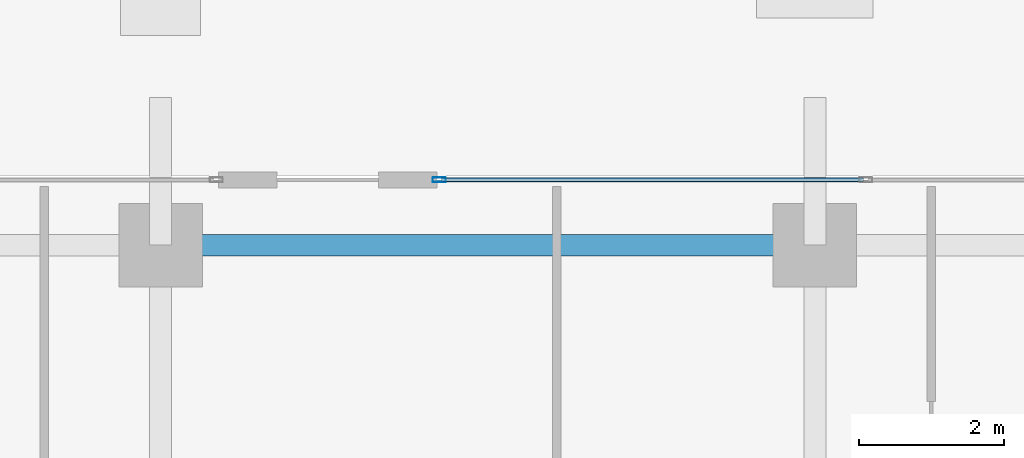
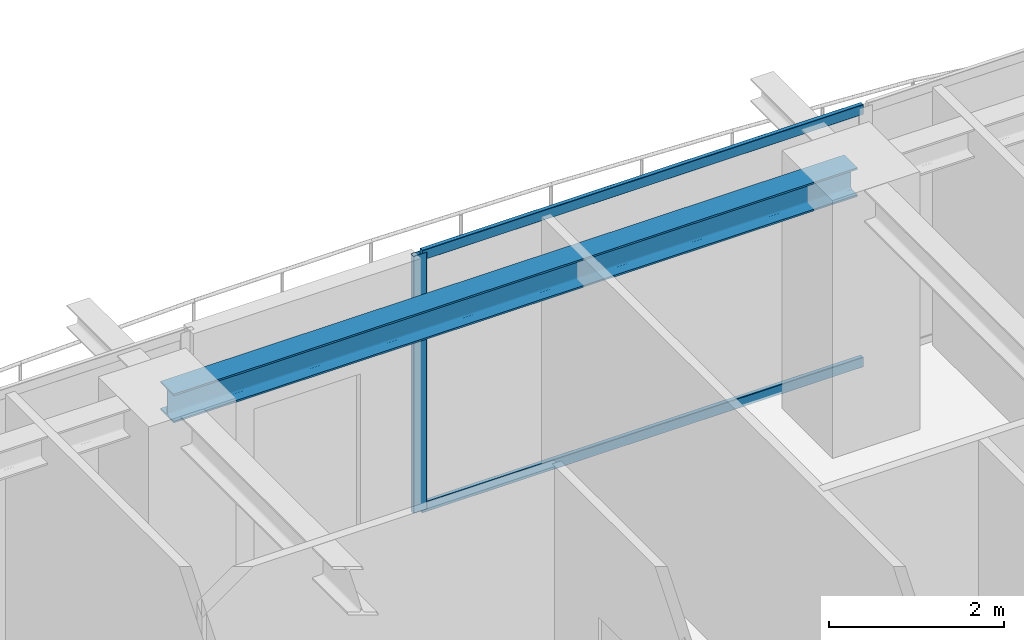
# One storey, part 22 of 38: 3 members, 1 beam, 1 element without a shape of its own.
"""IFC4 building model written with IfcOpenShell, lengths in metres."""

from ifc_helpers import new_model, si_unit, direction, frame, origin, origin_2d, place, context, subcontext, project, spatial, hollow_rectangle, i_section, extrude, source, transform, mapped, material, layer, layer_set, material_profile, profile_set, type_object, element, aggregate, save


model = new_model("IFC4")

# Units and contexts
model_context = context("Model", 3, precision=1e-05, world=origin(), true_north=direction((0.0, 1.0)))
body_context = subcontext(model_context, "Body", "Model", "MODEL_VIEW")
ifc_project = project(units=[si_unit("LENGTHUNIT", "METRE"), si_unit("AREAUNIT", "SQUARE_METRE"), si_unit("VOLUMEUNIT", "CUBIC_METRE"), si_unit("PLANEANGLEUNIT", "RADIAN"), si_unit("MASSUNIT", "GRAM", prefix="KILO")], contexts=[model_context])

# Site, building, storey
site_placement = place(None, origin())
site = spatial("IfcSite", under=ifc_project, at=site_placement, CompositionType="ELEMENT")
building_placement = place(site_placement, origin())
building = spatial("IfcBuilding", under=site, at=building_placement, Name="Serunith Strait Residences", CompositionType="ELEMENT")
storey_placement = place(building_placement, frame((0.0, 0.0, 268.199951171875)))
storey = spatial("IfcBuildingStorey", under=building, at=storey_placement, Name="L67", CompositionType="ELEMENT", Elevation=268.199951171875)

# Beam
ifc_material_1 = material(Name="Steel S355J2", Category="steel")
ifc_material_profile_1 = material_profile(ifc_material_1, i_section(OverallWidth=0.300048828125, OverallDepth=0.39990234375, WebThickness=0.013427734375, FlangeThickness=0.02392578125, FilletRadius=0.027099609375, at=origin_2d()), Name="HEB 400")
ifc_profile_set_1 = profile_set([ifc_material_profile_1], Name="Steel S355J2")
beam_type = type_object("IfcBeamType", Name="BM-HEB400", PredefinedType="BEAM", material=ifc_profile_set_1)
shared_shape_1 = source(origin(), body_context, "Body", "SweptSolid", [
    extrude(i_section(OverallWidth=0.300048828125, OverallDepth=0.39990234375, WebThickness=0.013427734375, FlangeThickness=0.02392578125, FilletRadius=0.027099609375, at=origin_2d()), origin(), (0.0, 0.0, 1.0), 9.0),
])
beam_placement = place(storey_placement, frame((36.89990234375, 48.300048828125, 3.386962890625), z_axis=(-1.0, 0.0, 0.0), x_axis=(0.0, -1.0, 0.0)))
element("IfcBeam", 1, at=beam_placement, inside=storey, type_object=beam_type, Name="L67 Perimeter Ring Beam 10", PredefinedType="BEAM", context=body_context, shape_type="MappedRepresentation", body=[
    mapped(shared_shape_1, transform((0.0, 0.0, 0.0), scale=1.0)),
])

# Curtain wall, members
ifc_material_2 = material(Name="Pale-Champagne Anodised Aluminium", Category="aluminium")
ifc_layer = layer(ifc_material_2, 0.199951171875, Name="Pale-Champagne Anodised Aluminium")
ifc_layer_set = layer_set([ifc_layer], Name="Pale-Champagne Anodised Aluminium")
curtain_wall_type = type_object("IfcCurtainWallType", Name="CW-SYS4", PredefinedType="NOTDEFINED", material=ifc_layer_set)
curtain_wall_placement = place(storey_placement, origin())
curtain_wall = element("IfcCurtainWall", 2, at=curtain_wall_placement, inside=storey, type_object=curtain_wall_type, Name="L67 N Unitised Fritted Curtain Wall", PredefinedType="NOTDEFINED")
ifc_material_profile_2 = material_profile(ifc_material_2, hollow_rectangle(XDim=0.06494140625, YDim=0.179931640625, WallThickness=0.00341796875, InnerFilletRadius=0.00537109375, OuterFilletRadius=0.0087890625, at=origin_2d()), Name="ALU 180x65x3.5")
ifc_profile_set_2 = profile_set([ifc_material_profile_2], Name="Pale-Champagne Anodised Aluminium")
member_type_1 = type_object("IfcMemberType", Name="CW-SYS4-MULL", PredefinedType="MULLION", material=ifc_profile_set_2)
shared_shape_2 = source(origin(), body_context, "Body", "SweptSolid", [
    extrude(hollow_rectangle(XDim=0.06494140625, YDim=0.179931640625, WallThickness=0.00341796875, InnerFilletRadius=0.00537109375, OuterFilletRadius=0.0087890625, at=origin_2d()), origin(), (0.0, 0.0, 1.0), 3.574951171875),
])
member_1_placement = place(storey_placement, frame((31.732421875, 49.199951171875, 0.0), z_axis=(0.0, 0.0, 1.0), x_axis=(0.0, -1.0, 0.0)))
member_1 = element("IfcMember", 3, at=member_1_placement, type_object=member_type_1, Name="CW-4 mullion 4", PredefinedType="MULLION", context=body_context, shape_type="MappedRepresentation", body=[
    mapped(shared_shape_2, transform((0.0, 0.0, 0.0), scale=1.0)),
])
ifc_material_profile_3 = material_profile(ifc_material_2, hollow_rectangle(XDim=0.06005859375, YDim=0.139892578125, WallThickness=0.00341796875, InnerFilletRadius=0.00537109375, OuterFilletRadius=0.0087890625, at=origin_2d()), Name="ALU 140x60x3.5")
ifc_profile_set_3 = profile_set([ifc_material_profile_3], Name="Pale-Champagne Anodised Aluminium")
member_type_2 = type_object("IfcMemberType", Name="CW-SYS4-TRAN", PredefinedType="USERDEFINED", material=ifc_profile_set_3)
shared_shape_3 = source(origin(), body_context, "Body", "SweptSolid", [
    extrude(hollow_rectangle(XDim=0.06005859375, YDim=0.139892578125, WallThickness=0.00341796875, InnerFilletRadius=0.00537109375, OuterFilletRadius=0.0087890625, at=origin_2d()), origin(), (0.0, 0.0, 1.0), 5.802490234375),
])
member_2_placement = place(storey_placement, frame((37.5673828125, 49.199951171875, 0.030029296875), z_axis=(-1.0, 0.0, 0.0), x_axis=(0.0, -1.0, 0.0)))
member_2 = element("IfcMember", 4, at=member_2_placement, type_object=member_type_2, Name="CW-4 transom 3.1", ObjectType="TRANSOM", PredefinedType="USERDEFINED", context=body_context, shape_type="MappedRepresentation", body=[
    mapped(shared_shape_3, transform((0.0, 0.0, 0.0), scale=1.0)),
])
member_3_placement = place(storey_placement, frame((37.5673828125, 49.199951171875, 3.545166015625), z_axis=(-1.0, 0.0, 0.0), x_axis=(0.0, -1.0, 0.0)))
member_3 = element("IfcMember", 5, at=member_3_placement, type_object=member_type_2, Name="CW-4 transom 3.2", ObjectType="TRANSOM", PredefinedType="USERDEFINED", context=body_context, shape_type="MappedRepresentation", body=[
    mapped(shared_shape_3, transform((0.0, 0.0, 0.0), scale=1.0)),
])
aggregate(curtain_wall, [member_1, member_2, member_3])

save(model, "model.ifc")
